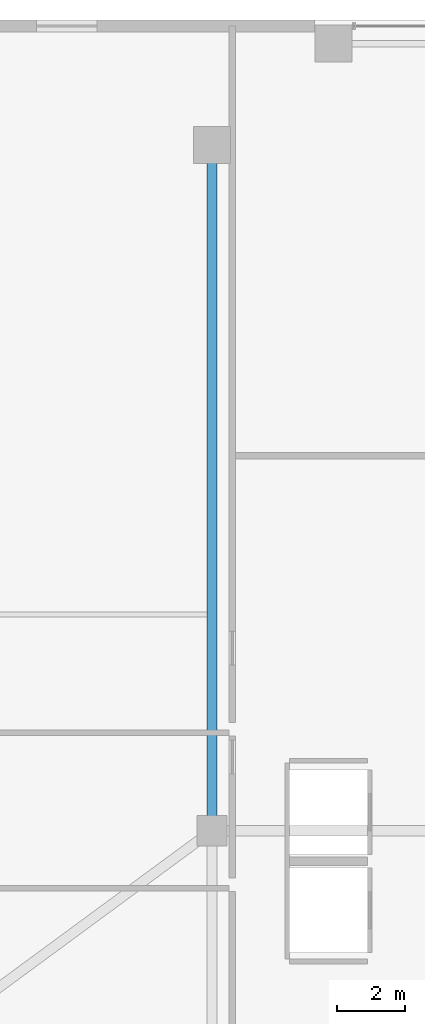
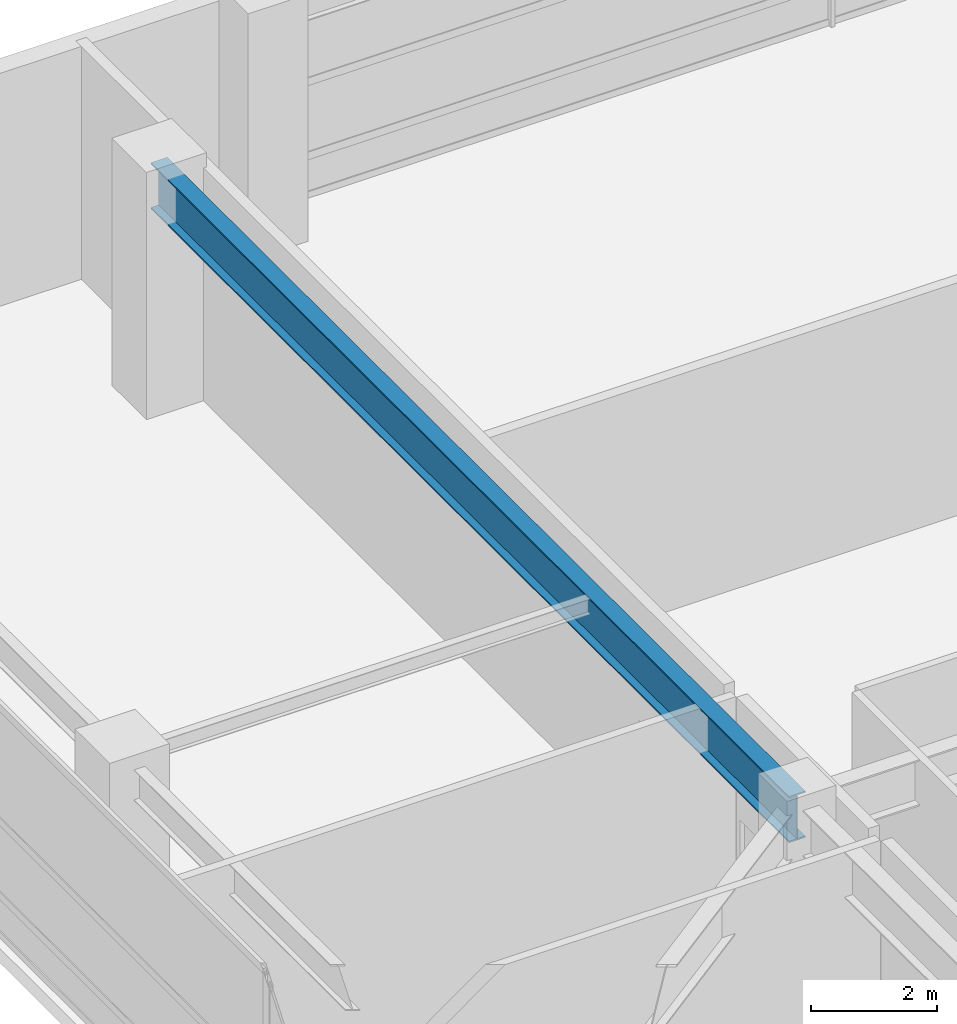
# One storey, part 18 of 38: 1 beam.
"""IFC4 building model written with IfcOpenShell, lengths in metres."""

from ifc_helpers import new_model, si_unit, direction, frame, origin, origin_2d, place, context, subcontext, project, spatial, i_section, extrude, source, transform, mapped, material, material_profile, profile_set, type_object, element, save


model = new_model("IFC4")

# Units and contexts
model_context = context("Model", 3, precision=1e-05, world=origin(), true_north=direction((0.0, 1.0)))
body_context = subcontext(model_context, "Body", "Model", "MODEL_VIEW")
ifc_project = project(units=[si_unit("LENGTHUNIT", "METRE"), si_unit("AREAUNIT", "SQUARE_METRE"), si_unit("VOLUMEUNIT", "CUBIC_METRE"), si_unit("PLANEANGLEUNIT", "RADIAN"), si_unit("MASSUNIT", "GRAM", prefix="KILO"), si_unit("THERMODYNAMICTEMPERATUREUNIT", "KELVIN"), si_unit("POWERUNIT", "WATT")], contexts=[model_context])

# Site, building, storey
site_placement = place(None, origin())
site = spatial("IfcSite", under=ifc_project, at=site_placement, CompositionType="ELEMENT")
building_placement = place(site_placement, origin())
building = spatial("IfcBuilding", under=site, at=building_placement, Name="Yuzanri Waterfront Tower", CompositionType="ELEMENT")
storey_placement = place(building_placement, frame((0.0, 0.0, 10.199951171875)))
storey = spatial("IfcBuildingStorey", under=building, at=storey_placement, Name="L03", CompositionType="ELEMENT", Elevation=10.199951171875)

# Beam
ifc_material = material(Name="Steel Q355B", Category="steel")
ifc_material_profile = material_profile(ifc_material, i_section(OverallWidth=0.300048828125, OverallDepth=0.89990234375, WebThickness=0.01611328125, FlangeThickness=0.028076171875, at=origin_2d()), Name="HN 900x300x16x28")
ifc_profile_set = profile_set([ifc_material_profile], Name="Steel Q355B")
beam_type = type_object("IfcBeamType", Name="Primary Podium Girder Q355B HN 900x300", PredefinedType="BEAM", material=ifc_profile_set)
shared_shape = source(origin(), body_context, "Body", "SweptSolid", [
    extrude(i_section(OverallWidth=0.300048828125, OverallDepth=0.89990234375, WebThickness=0.01611328125, FlangeThickness=0.028076171875, at=origin_2d()), origin(), (0.0, 0.0, 1.0), 20.300048828125),
])
beam_placement = place(storey_placement, frame((11.89990234375, 25.800048828125, 4.070068359375), z_axis=(0.0, 1.0, 0.0), x_axis=(-1.0, 0.0, 0.0)))
element("IfcBeam", 1, at=beam_placement, inside=storey, type_object=beam_type, Name="L03 Podium Spine Girder N", PredefinedType="BEAM", context=body_context, shape_type="MappedRepresentation", body=[
    mapped(shared_shape, transform((0.0, 0.0, 0.0), scale=1.0)),
])

save(model, "model.ifc")
